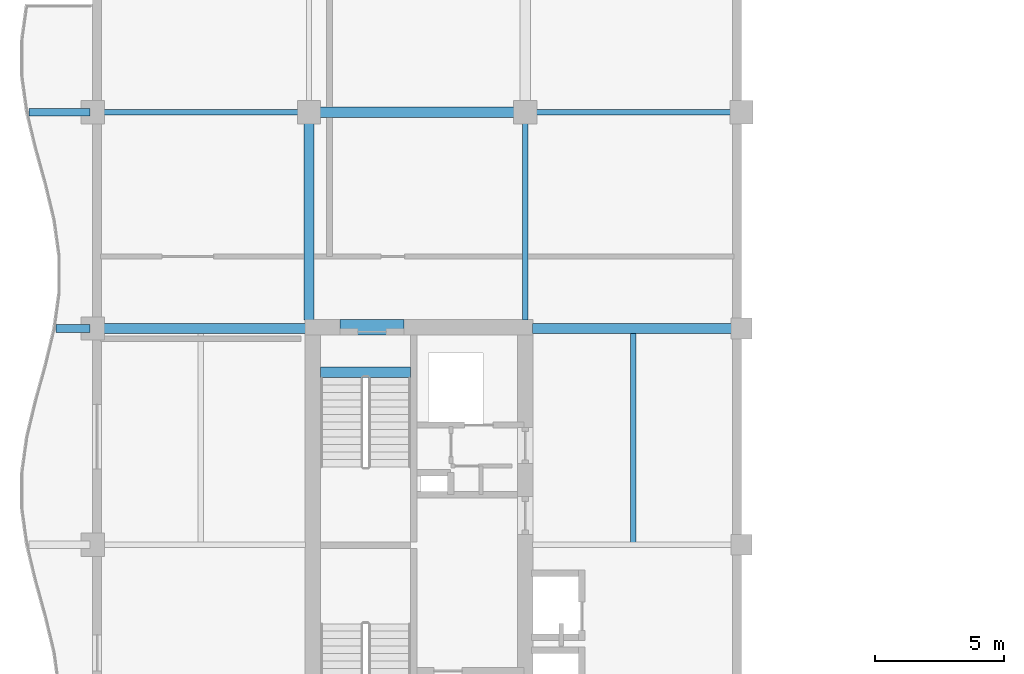
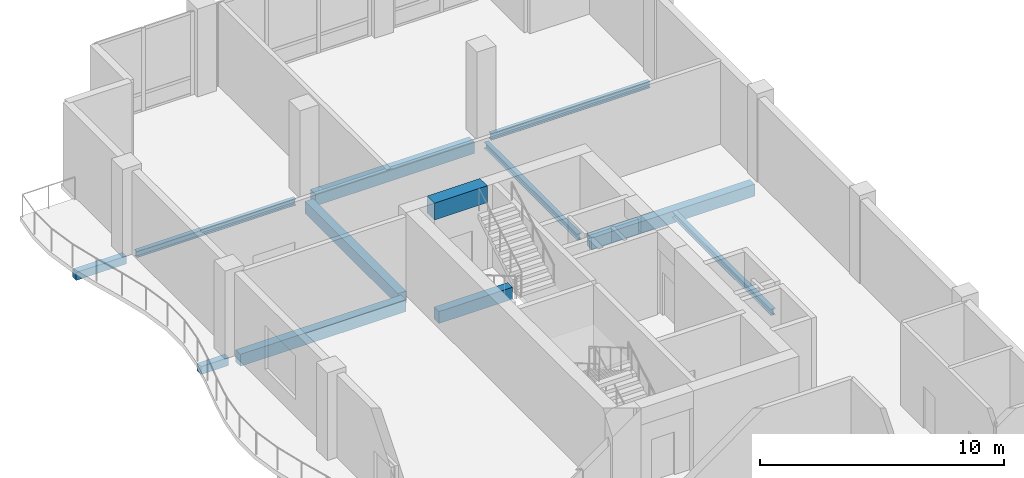
# One storey, part 2 of 16: 12 beams.
"""IFC4 building model written with IfcOpenShell, lengths in metres."""

from ifc_helpers import new_model, si_unit, direction, frame, origin, origin_2d, place, context, subcontext, project, spatial, rectangle, i_section, extrude, material, material_profile, profile_set, type_object, element, save


model = new_model("IFC4")

# Units and contexts
model_context = context("Model", 3, precision=1e-05, world=origin(), true_north=direction((0.0, 1.0)))
body_context = subcontext(model_context, "Body", "Model", "MODEL_VIEW")
ifc_project = project(units=[si_unit("LENGTHUNIT", "METRE"), si_unit("AREAUNIT", "SQUARE_METRE"), si_unit("VOLUMEUNIT", "CUBIC_METRE"), si_unit("PLANEANGLEUNIT", "RADIAN"), si_unit("MASSUNIT", "GRAM", prefix="KILO")], contexts=[model_context])

# Site, building, storey
site_placement = place(None, origin())
site = spatial("IfcSite", under=ifc_project, at=site_placement, CompositionType="ELEMENT")
building_placement = place(site_placement, origin())
building = spatial("IfcBuilding", under=site, at=building_placement, Name="Koriwani Terraces Tower", CompositionType="ELEMENT")
storey_placement = place(building_placement, frame((0.0, 0.0, 286.0)))
storey = spatial("IfcBuildingStorey", under=building, at=storey_placement, Name="L71", CompositionType="ELEMENT", Elevation=286.0)

# Beams
ifc_material_1 = material(Name="Concrete C40/50", Category="concrete")
ifc_material_profile_1 = material_profile(ifc_material_1, rectangle(XDim=0.300048828125, YDim=0.39990234375, at=origin_2d()), Name="Concrete C40/50", Category="LoadBearing")
ifc_profile_set_1 = profile_set([ifc_material_profile_1], Name="Concrete C40/50")
beam_type_1 = type_object("IfcBeamType", Name="BEAM_RC_BALCONY_RIB_300X400", PredefinedType="JOIST", material=ifc_profile_set_1)
beam_1_placement = place(storey_placement, frame((6.980224609375, 58.800048828125, -0.429931640625), z_axis=(1.0, 0.0, 0.0), x_axis=(0.0, 1.0, 0.0)))
element("IfcBeam", 1, at=beam_1_placement, inside=storey, type_object=beam_type_1, Name="L71 Balcony Bracket Rib W-3", PredefinedType="JOIST", context=body_context, shape_type="SweptSolid", body=[
    extrude(rectangle(XDim=0.300048828125, YDim=0.39990234375, at=origin_2d()), origin(), (0.0, 0.0, 1.0), 1.31982421875),
])
beam_2_placement = place(storey_placement, frame((5.919677734375, 67.199951171875, -0.429931640625), z_axis=(1.0, 0.0, 0.0), x_axis=(0.0, 1.0, 0.0)))
element("IfcBeam", 2, at=beam_2_placement, inside=storey, type_object=beam_type_1, Name="L71 Balcony Bracket Rib W-4", PredefinedType="JOIST", context=body_context, shape_type="SweptSolid", body=[
    extrude(rectangle(XDim=0.300048828125, YDim=0.39990234375, at=origin_2d()), origin(), (0.0, 0.0, 1.0), 2.38037109375),
])
ifc_material_2 = material(Name="Concrete C50/60", Category="concrete")
ifc_material_profile_2 = material_profile(ifc_material_2, rectangle(XDim=0.60009765625, YDim=0.85009765625, at=origin_2d()), Name="Concrete C50/60", Category="LoadBearing")
ifc_profile_set_2 = profile_set([ifc_material_profile_2], Name="Concrete C50/60")
beam_type_2 = type_object("IfcBeamType", Name="BEAM_RC_COUPLING_600X850", PredefinedType="LINTEL", material=ifc_profile_set_2)
beam_3_placement = place(storey_placement, frame((18.0, 58.85009765625, 3.7451171875), z_axis=(1.0, 0.0, 0.0), x_axis=(0.0, 1.0, 0.0)))
element("IfcBeam", 3, at=beam_3_placement, inside=storey, type_object=beam_type_2, Name="L71 Core Coupling Lintel Beam WN", PredefinedType="LINTEL", context=body_context, shape_type="SweptSolid", body=[
    extrude(rectangle(XDim=0.60009765625, YDim=0.85009765625, at=origin_2d()), origin(), (0.0, 0.0, 1.0), 2.5),
])
ifc_material_profile_3 = material_profile(ifc_material_1, rectangle(XDim=0.39990234375, YDim=0.60009765625, at=origin_2d()), Name="Concrete C40/50", Category="LoadBearing")
ifc_profile_set_3 = profile_set([ifc_material_profile_3], Name="Concrete C40/50")
beam_type_3 = type_object("IfcBeamType", Name="BEAM_RC_GRID_400X600", PredefinedType="BEAM", material=ifc_profile_set_3)
beam_4_placement = place(storey_placement, frame((17.25, 57.094970703125, -0.300048828125), z_axis=(1.0, 0.0, 0.0), x_axis=(0.0, 1.0, 0.0)))
element("IfcBeam", 4, at=beam_4_placement, inside=storey, type_object=beam_type_3, Name="L71 Stairwell Header Trimmer Beam ST-W2", PredefinedType="BEAM", context=body_context, shape_type="SweptSolid", body=[
    extrude(rectangle(XDim=0.39990234375, YDim=0.60009765625, at=origin_2d()), origin(), (0.0, 0.0, 1.0), 3.5),
])
beam_5_placement = place(storey_placement, frame((8.830078125, 58.800048828125, -0.530029296875), z_axis=(1.0, 0.0, 0.0), x_axis=(0.0, 1.0, 0.0)))
element("IfcBeam", 5, at=beam_5_placement, inside=storey, type_object=beam_type_3, Name="L71 Grid Beam H (8.4-16.8m)", PredefinedType="BEAM", context=body_context, shape_type="SweptSolid", body=[
    extrude(rectangle(XDim=0.39990234375, YDim=0.60009765625, at=origin_2d()), origin(), (0.0, 0.0, 1.0), 7.83984375),
])
beam_6_placement = place(storey_placement, frame((25.47998046875, 58.800048828125, -0.530029296875), z_axis=(1.0, 0.0, 0.0), x_axis=(0.0, 1.0, 0.0)))
element("IfcBeam", 6, at=beam_6_placement, inside=storey, type_object=beam_type_3, Name="L71 Grid Beam H (25.2-33.6m)", PredefinedType="BEAM", context=body_context, shape_type="SweptSolid", body=[
    extrude(rectangle(XDim=0.39990234375, YDim=0.60009765625, at=origin_2d()), origin(), (0.0, 0.0, 1.0), 7.739990234375),
])
beam_7_placement = place(storey_placement, frame((17.22998046875, 67.199951171875, -0.530029296875), z_axis=(1.0, 0.0, 0.0), x_axis=(0.0, 1.0, 0.0)))
element("IfcBeam", 7, at=beam_7_placement, inside=storey, type_object=beam_type_3, Name="L71 Grid Beam I (16.8-25.2m)", PredefinedType="BEAM", context=body_context, shape_type="SweptSolid", body=[
    extrude(rectangle(XDim=0.39990234375, YDim=0.60009765625, at=origin_2d()), origin(), (0.0, 0.0, 1.0), 7.5400390625),
])
beam_8_placement = place(storey_placement, frame((16.800048828125, 59.1298828125, -0.530029296875), z_axis=(0.0, 1.0, 0.0), x_axis=(-1.0, 0.0, 0.0)))
element("IfcBeam", 8, at=beam_8_placement, inside=storey, type_object=beam_type_3, Name="L71 Grid Beam 3 (58.8-67.2m)", PredefinedType="BEAM", context=body_context, shape_type="SweptSolid", body=[
    extrude(rectangle(XDim=0.39990234375, YDim=0.60009765625, at=origin_2d()), origin(), (0.0, 0.0, 1.0), 7.64013671875),
])
ifc_material_3 = material(Name="Steel ASTM A572 Grade 50", Category="steel")
ifc_material_profile_4 = material_profile(ifc_material_3, i_section(OverallWidth=0.205078125, OverallDepth=0.31005859375, WebThickness=0.009521484375, FlangeThickness=0.016357421875, at=origin_2d()), Name="Steel ASTM A572 Grade 50", Category="LoadBearing")
ifc_profile_set_4 = profile_set([ifc_material_profile_4], Name="Steel ASTM A572 Grade 50")
beam_type_4 = type_object("IfcBeamType", Name="STEEL_BEAM_W310X74", PredefinedType="JOIST", material=ifc_profile_set_4)
for number, where, z_axis, x_axis, name in (
    (9, (8.830078125, 67.199951171875, -0.385009765625), (1.0, 0.0, 0.0), (0.0, 1.0, 0.0), "L71 Grid Beam I (8.4-16.8m)"),
    (10, (25.6298828125, 67.199951171875, -0.385009765625), (1.0, 0.0, 0.0), (0.0, 1.0, 0.0), "L71 Grid Beam I (25.2-33.6m)"),
):
    element("IfcBeam", number, at=place(storey_placement, frame(where, z_axis=z_axis, x_axis=x_axis)), inside=storey, type_object=beam_type_4, Name=name, PredefinedType="JOIST", context=body_context, shape_type="SweptSolid", body=[
        extrude(i_section(OverallWidth=0.205078125, OverallDepth=0.31005859375, WebThickness=0.009521484375, FlangeThickness=0.016357421875, at=origin_2d()), origin(), (0.0, 0.0, 1.0), 7.5400390625),
    ])
beam_9_placement = place(storey_placement, frame((25.199951171875, 59.1298828125, -0.385009765625), z_axis=(0.0, 1.0, 0.0), x_axis=(-1.0, 0.0, 0.0)))
element("IfcBeam", 11, at=beam_9_placement, inside=storey, type_object=beam_type_4, Name="L71 Grid Beam 4 (58.8-67.2m)", PredefinedType="JOIST", context=body_context, shape_type="SweptSolid", body=[
    extrude(i_section(OverallWidth=0.205078125, OverallDepth=0.31005859375, WebThickness=0.009521484375, FlangeThickness=0.016357421875, at=origin_2d()), origin(), (0.0, 0.0, 1.0), 7.64013671875),
])
beam_10_placement = place(storey_placement, frame((29.39990234375, 50.492431640625, -0.385009765625), z_axis=(0.0, 1.0, 0.0), x_axis=(-1.0, 0.0, 0.0)))
element("IfcBeam", 12, at=beam_10_placement, inside=storey, type_object=beam_type_4, Name="L71 Secondary Steel Floor Joist X=29.4m", PredefinedType="JOIST", context=body_context, shape_type="SweptSolid", body=[
    extrude(i_section(OverallWidth=0.205078125, OverallDepth=0.31005859375, WebThickness=0.009521484375, FlangeThickness=0.016357421875, at=origin_2d()), origin(), (0.0, 0.0, 1.0), 8.11767578125),
])

save(model, "model.ifc")
